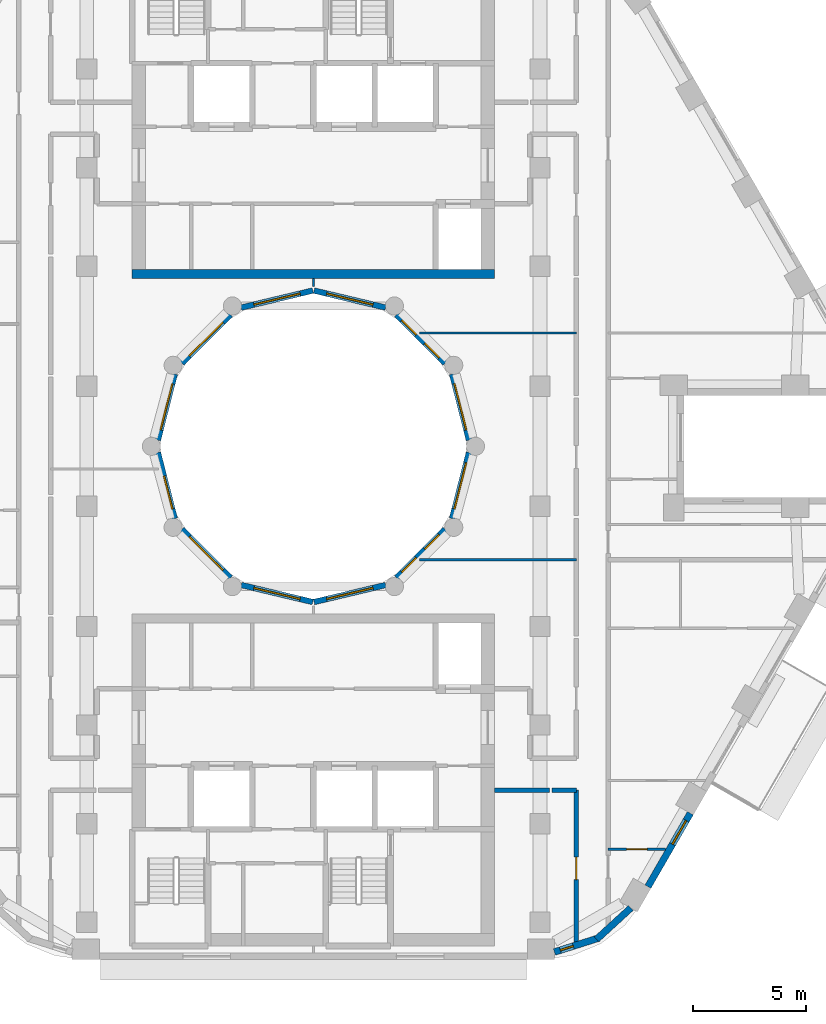
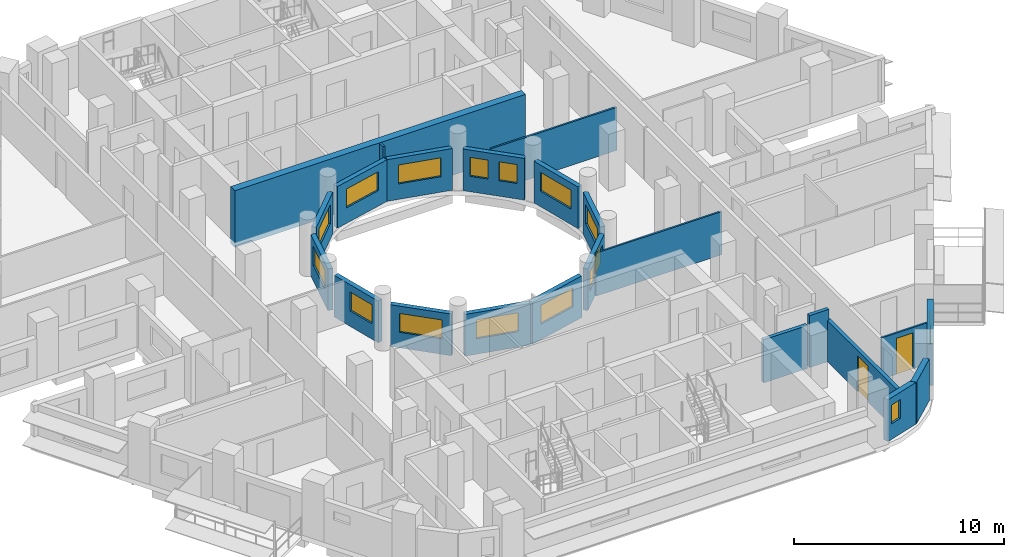
# One storey, part 5 of 15: 23 walls, 16 windows, 2 doors, 18 openings.
"""IFC4 building model written with IfcOpenShell, lengths in metres."""

from ifc_helpers import new_model, si_unit, direction, frame, frame_2d, origin, place, context, subcontext, project, spatial, rectangle, extrude, material, layer, layer_set, type_object, element, fill, save


model = new_model("IFC4")

# Units and contexts
model_context = context("Model", 3, precision=1e-05, world=origin(), true_north=direction((0.0, 1.0)))
body_context = subcontext(model_context, "Body", "Model", "MODEL_VIEW")
ifc_project = project(units=[si_unit("LENGTHUNIT", "METRE"), si_unit("AREAUNIT", "SQUARE_METRE"), si_unit("VOLUMEUNIT", "CUBIC_METRE"), si_unit("PLANEANGLEUNIT", "RADIAN"), si_unit("MASSUNIT", "GRAM", prefix="KILO")], contexts=[model_context])

# Site, building, storey
site_placement = place(None, origin())
site = spatial("IfcSite", under=ifc_project, at=site_placement, CompositionType="ELEMENT")
building_placement = place(site_placement, origin())
building = spatial("IfcBuilding", under=site, at=building_placement, Name="Nakaniwa Court", CompositionType="ELEMENT")
storey_placement = place(building_placement, frame((0.0, 0.0, 186.60009765625)))
storey = spatial("IfcBuildingStorey", under=building, at=storey_placement, Name="L48", CompositionType="ELEMENT", Elevation=186.60009765625)

# Wall, opening, door
ifc_material_1 = material(Name="Acoustic double stud partition")
ifc_layer_1 = layer(ifc_material_1, 0.199951171875)
ifc_layer_set_1 = layer_set([ifc_layer_1], Name="Acoustic double stud partition")
wall_type_1 = type_object("IfcWallType", Name="Acoustic double stud partition 200", PredefinedType="PARTITIONING", material=ifc_layer_set_1)
wall_1_placement = place(storey_placement, frame((91.60009765625, 57.92626953125, 0.0), z_axis=(0.0, 0.0, 1.0), x_axis=(0.0, 1.0, 0.0)))
wall_1 = element("IfcWall", 1, at=wall_1_placement, inside=storey, type_object=wall_type_1, Name="Partition PW-067", PredefinedType="PARTITIONING", context=body_context, shape_type="SweptSolid", body=[
    extrude(rectangle(XDim=6.898681640625, YDim=0.199951171875, at=frame_2d((3.44921875, 0.0))), origin(), (0.0, 0.0, 1.0), 2.40478515625),
])
opening_1_placement = place(wall_1_placement, frame((2.948974609375, 0.0, 0.0)))
opening_1 = element("IfcOpeningElement", 2, at=opening_1_placement, cuts=wall_1, Name="Opening D-02-01", PredefinedType="OPENING", context=body_context, shape_type="SweptSolid", body=[
    extrude(rectangle(XDim=1.0, YDim=2.10009765625, at=frame_2d((0.5, 1.050048828125))), frame((0.0, 0.10986328125, 0.0), z_axis=(0.0, -1.0, 0.0), x_axis=(1.0, 0.0, 0.0)), (0.0, 0.0, 1.0), 0.219970703125),
])
ifc_material_2 = material(Name="Solid core timber door set, black veneer", Category="wood")
door_type_1 = type_object("IfcDoorType", Name="Internal door 1000", OperationType="NOTDEFINED", PredefinedType="DOOR", material=ifc_material_2)
door_1_placement = place(opening_1_placement, origin())
door_1 = element("IfcDoor", 3, at=door_1_placement, inside=storey, type_object=door_type_1, Name="Door D-02-01 L48-023", OperationType="SINGLE_SWING_RIGHT", OverallHeight=2.10009765625, OverallWidth=1.0, PredefinedType="DOOR", context=body_context, shape_type="SweptSolid", body=[
    extrude(rectangle(XDim=1.0, YDim=2.10009765625, at=frame_2d((0.5, 1.050048828125))), frame((0.0, 0.02490234375, 0.0), z_axis=(0.0, -1.0, 0.0), x_axis=(1.0, 0.0, 0.0)), (0.0, 0.0, 1.0), 0.050048828125),
])
fill(opening_1, door_1)

# Walls
wall_2_placement = place(storey_placement, frame((88.0, 64.824951171875, 0.0), z_axis=(0.0, 0.0, 1.0), x_axis=(1.0, 0.0, 0.0)))
element("IfcWall", 4, at=wall_2_placement, inside=storey, type_object=wall_type_1, Name="Partition PW-076", PredefinedType="PARTITIONING", context=body_context, shape_type="SweptSolid", body=[
    extrude(rectangle(XDim=2.412841796875, YDim=0.199951171875, at=frame_2d((1.20654296875, 0.0))), origin(), (0.0, 0.0, 1.0), 2.5048828125),
])
wall_3_placement = place(storey_placement, frame((90.527099609375, 64.824951171875, 0.0), z_axis=(0.0, 0.0, 1.0), x_axis=(1.0, 0.0, 0.0)))
element("IfcWall", 5, at=wall_3_placement, inside=storey, type_object=wall_type_1, Name="Partition PW-077", PredefinedType="PARTITIONING", context=body_context, shape_type="SweptSolid", body=[
    extrude(rectangle(XDim=1.072998046875, YDim=0.199951171875, at=frame_2d((0.53662109375, 0.0))), origin(), (0.0, 0.0, 1.0), 3.02490234375),
])

# Wall, opening, window
ifc_material_3 = material(Name="Charcoal ceramic cladding")
ifc_layer_2 = layer(ifc_material_3, 0.02, Name="Ceramic cladding")
ifc_material_4 = material(Name="Ventilated air cavity")
ifc_layer_3 = layer(ifc_material_4, 0.04, ventilated=True, Name="Ventilated cavity")
ifc_material_5 = material(Name="Mineral wool insulation")
ifc_layer_4 = layer(ifc_material_5, 0.1, Name="Insulation")
ifc_material_6 = material(Name="Cement bonded sheathing board")
ifc_layer_5 = layer(ifc_material_6, 0.012, Name="Sheathing")
ifc_material_7 = material(Name="Cold-formed galvanised stud frame with mineral wool infill")
ifc_layer_6 = layer(ifc_material_7, 0.1, Name="Stud frame")
ifc_material_8 = material(Name="Fire-rated gypsum plasterboard lining")
ifc_layer_7 = layer(ifc_material_8, 0.028, Name="Lining")
ifc_layer_set_2 = layer_set([ifc_layer_2, ifc_layer_3, ifc_layer_4, ifc_layer_5, ifc_layer_6, ifc_layer_7], Name="Charcoal ceramic faced external wall system")
wall_type_2 = type_object("IfcWallType", Name="Black ceramic faced external wall 300", PredefinedType="SOLIDWALL", material=ifc_layer_set_2)
wall_4_placement = place(storey_placement, frame((90.6357421875, 57.684814453125, 0.0), z_axis=(0.0, 0.0, 1.0), x_axis=(0.95368324118, 0.300812691707, 0.0)))
wall_4 = element("IfcWall", 6, at=wall_4_placement, inside=storey, type_object=wall_type_2, Name="L48 external wall 27", PredefinedType="SOLIDWALL", context=body_context, shape_type="SweptSolid", body=[
    extrude(rectangle(XDim=2.053466796875, YDim=0.300048828125, at=frame_2d((1.02685546875, 0.0))), origin(), (0.0, 0.0, 1.0), 2.4248046875),
])
opening_2_placement = place(wall_4_placement, frame((0.271240234375, 0.0, 0.89990234375)))
opening_2 = element("IfcOpeningElement", 7, at=opening_2_placement, cuts=wall_4, Name="Opening W8.29", PredefinedType="OPENING", context=body_context, shape_type="SweptSolid", body=[
    extrude(rectangle(XDim=0.60009765625, YDim=1.10009765625, at=frame_2d((0.300048828125, 0.550048828125))), frame((0.0, 0.159912109375, 0.0), z_axis=(0.0, -1.0, 0.0), x_axis=(1.0, 0.0, 0.0)), (0.0, 0.0, 1.0), 0.320068359375),
])
ifc_material_9 = material(Name="Black anodised aluminium frame with dark low-E laminated double glazing", Category="aluminium")
window_type_1 = type_object("IfcWindowType", Name="Dark glass window 600x1100 sill 900", PartitioningType="SINGLE_PANEL", PredefinedType="WINDOW", material=ifc_material_9)
window_1_placement = place(opening_2_placement, origin())
window_1 = element("IfcWindow", 8, at=window_1_placement, inside=storey, type_object=window_type_1, Name="L48 habitable room window 27-0", OverallHeight=1.10009765625, OverallWidth=0.60009765625, PartitioningType="SINGLE_PANEL", PredefinedType="WINDOW", context=body_context, shape_type="SweptSolid", body=[
    extrude(rectangle(XDim=0.60009765625, YDim=1.10009765625, at=frame_2d((0.300048828125, 0.550048828125))), frame((0.0, 0.030029296875, 0.0), z_axis=(0.0, -1.0, 0.0), x_axis=(1.0, 0.0, 0.0)), (0.0, 0.0, 1.0), 0.06005859375),
])
fill(opening_2, window_1)

# Wall
wall_5_placement = place(storey_placement, frame((92.494140625, 58.243896484375, 0.0), z_axis=(0.0, 0.0, 1.0), x_axis=(0.73764876128, 0.675184645102, 0.0)))
element("IfcWall", 9, at=wall_5_placement, inside=storey, type_object=wall_type_2, Name="L48 external wall 28", PredefinedType="SOLIDWALL", context=body_context, shape_type="SweptSolid", body=[
    extrude(rectangle(XDim=2.048095703125, YDim=0.300048828125, at=frame_2d((1.02392578125, 0.0))), origin(), (0.0, 0.0, 1.0), 2.4248046875),
])

# Wall, opening, window
wall_6_placement = place(storey_placement, frame((94.760986328125, 60.566650390625, 0.0), z_axis=(0.0, 0.0, 1.0), x_axis=(0.499982088007, 0.866035745032, 0.0)))
wall_6 = element("IfcWall", 10, at=wall_6_placement, inside=storey, type_object=wall_type_2, Name="L48 external wall 29", PredefinedType="SOLIDWALL", context=body_context, shape_type="SweptSolid", body=[
    extrude(rectangle(XDim=3.744384765625, YDim=0.300048828125, at=frame_2d((1.8720703125, 0.0))), origin(), (0.0, 0.0, 1.0), 2.4248046875),
])
opening_3_placement = place(wall_6_placement, frame((2.168701171875, 0.0, 0.89990234375)))
opening_3 = element("IfcOpeningElement", 11, at=opening_3_placement, cuts=wall_6, Name="Opening W6.30", PredefinedType="OPENING", context=body_context, shape_type="SweptSolid", body=[
    extrude(rectangle(XDim=1.199951171875, YDim=1.10009765625, at=frame_2d((0.60009765625, 0.550048828125))), frame((0.0, 0.159912109375, 0.0), z_axis=(0.0, -1.0, 0.0), x_axis=(1.0, 0.0, 0.0)), (0.0, 0.0, 1.0), 0.320068359375),
])
window_type_2 = type_object("IfcWindowType", Name="Dark glass window 1200x1100 sill 900", PartitioningType="SINGLE_PANEL", PredefinedType="WINDOW", material=ifc_material_9)
window_2_placement = place(opening_3_placement, origin())
window_2 = element("IfcWindow", 12, at=window_2_placement, inside=storey, type_object=window_type_2, Name="L48 habitable room window 29-1", OverallHeight=1.10009765625, OverallWidth=1.199951171875, PartitioningType="SINGLE_PANEL", PredefinedType="WINDOW", context=body_context, shape_type="SweptSolid", body=[
    extrude(rectangle(XDim=1.199951171875, YDim=1.10009765625, at=frame_2d((0.60009765625, 0.550048828125))), frame((0.0, 0.030029296875, 0.0), z_axis=(0.0, -1.0, 0.0), x_axis=(1.0, 0.0, 0.0)), (0.0, 0.0, 1.0), 0.06005859375),
])
fill(opening_3, window_2)

ifc_layer_8 = layer(ifc_material_3, 0.02, Name="Ceramic cladding")
ifc_layer_9 = layer(ifc_material_4, 0.04, ventilated=True, Name="Ventilated cavity")
ifc_layer_10 = layer(ifc_material_5, 0.075, Name="Insulation")
ifc_layer_11 = layer(ifc_material_6, 0.012, Name="Sheathing")
ifc_layer_12 = layer(ifc_material_7, 0.075, Name="Stud frame")
ifc_layer_13 = layer(ifc_material_8, 0.028, Name="Lining")
ifc_layer_set_3 = layer_set([ifc_layer_8, ifc_layer_9, ifc_layer_10, ifc_layer_11, ifc_layer_12, ifc_layer_13], Name="Charcoal ceramic faced external wall system")
wall_type_3 = type_object("IfcWallType", Name="Charcoal ceramic faced well wall 250", PredefinedType="SOLIDWALL", material=ifc_layer_set_3)
wall_7_placement = place(storey_placement, frame((86.8603515625, 79.72998046875, 0.0), z_axis=(0.0, 0.0, 1.0), x_axis=(-0.247055971283, -0.969001211069, 0.0)))
wall_7 = element("IfcWall", 13, at=wall_7_placement, inside=storey, type_object=wall_type_3, Name="L48 external wall 36", PredefinedType="SOLIDWALL", context=body_context, shape_type="SweptSolid", body=[
    extrude(rectangle(XDim=3.010009765625, YDim=0.25, at=frame_2d((1.5048828125, 0.0))), origin(), (0.0, 0.0, 1.0), 2.4248046875),
])
opening_4_placement = place(wall_7_placement, frame((0.46875, 0.0, 0.89990234375)))
opening_4 = element("IfcOpeningElement", 14, at=opening_4_placement, cuts=wall_7, Name="Opening W7.36", PredefinedType="OPENING", context=body_context, shape_type="SweptSolid", body=[
    extrude(rectangle(XDim=2.10009765625, YDim=1.10009765625, at=frame_2d((1.050048828125, 0.550048828125))), frame((0.0, 0.135009765625, 0.0), z_axis=(0.0, -1.0, 0.0), x_axis=(1.0, 0.0, 0.0)), (0.0, 0.0, 1.0), 0.27001953125),
])
window_type_3 = type_object("IfcWindowType", Name="Dark glass window 2100x1100 sill 900", PartitioningType="SINGLE_PANEL", PredefinedType="WINDOW", material=ifc_material_9)
window_3_placement = place(opening_4_placement, origin())
window_3 = element("IfcWindow", 15, at=window_3_placement, inside=storey, type_object=window_type_3, Name="L48 habitable room window 36-0", OverallHeight=1.10009765625, OverallWidth=2.10009765625, PartitioningType="SINGLE_PANEL", PredefinedType="WINDOW", context=body_context, shape_type="SweptSolid", body=[
    extrude(rectangle(XDim=2.10009765625, YDim=1.10009765625, at=frame_2d((1.050048828125, 0.550048828125))), frame((0.0, 0.030029296875, 0.0), z_axis=(0.0, -1.0, 0.0), x_axis=(1.0, 0.0, 0.0)), (0.0, 0.0, 1.0), 0.06005859375),
])
fill(opening_4, window_3)

# Wall, openings, windows
wall_8_placement = place(storey_placement, frame((85.8056640625, 76.339111328125, 0.0), z_axis=(0.0, 0.0, 1.0), x_axis=(-0.707106781187, -0.707106781187, 0.0)))
wall_8 = element("IfcWall", 16, at=wall_8_placement, inside=storey, type_object=wall_type_3, Name="L48 external wall 37", PredefinedType="SOLIDWALL", context=body_context, shape_type="SweptSolid", body=[
    extrude(rectangle(XDim=3.033203125, YDim=0.25, at=frame_2d((1.5166015625, 0.0))), origin(), (0.0, 0.0, 1.0), 2.4248046875),
])
opening_5_placement = place(wall_8_placement, frame((0.353271484375, 0.0, 0.89990234375)))
opening_5 = element("IfcOpeningElement", 17, at=opening_5_placement, cuts=wall_8, Name="Opening W9.37", PredefinedType="OPENING", context=body_context, shape_type="SweptSolid", body=[
    extrude(rectangle(XDim=0.89990234375, YDim=1.10009765625, at=frame_2d((0.449951171875, 0.550048828125))), frame((0.0, 0.135009765625, 0.0), z_axis=(0.0, -1.0, 0.0), x_axis=(1.0, 0.0, 0.0)), (0.0, 0.0, 1.0), 0.27001953125),
])
opening_6_placement = place(wall_8_placement, frame((1.787841796875, 0.0, 0.89990234375)))
opening_6 = element("IfcOpeningElement", 18, at=opening_6_placement, cuts=wall_8, Name="Opening W9.38", PredefinedType="OPENING", context=body_context, shape_type="SweptSolid", body=[
    extrude(rectangle(XDim=0.89990234375, YDim=1.10009765625, at=frame_2d((0.449951171875, 0.550048828125))), frame((0.0, 0.135009765625, 0.0), z_axis=(0.0, -1.0, 0.0), x_axis=(1.0, 0.0, 0.0)), (0.0, 0.0, 1.0), 0.27001953125),
])
window_type_4 = type_object("IfcWindowType", Name="Dark glass window 900x1100 sill 900", PartitioningType="SINGLE_PANEL", PredefinedType="WINDOW", material=ifc_material_9)
window_4_placement = place(opening_5_placement, origin())
window_4 = element("IfcWindow", 19, at=window_4_placement, inside=storey, type_object=window_type_4, Name="L48 habitable room window 37-0", OverallHeight=1.10009765625, OverallWidth=0.89990234375, PartitioningType="SINGLE_PANEL", PredefinedType="WINDOW", context=body_context, shape_type="SweptSolid", body=[
    extrude(rectangle(XDim=0.89990234375, YDim=1.10009765625, at=frame_2d((0.449951171875, 0.550048828125))), frame((0.0, 0.030029296875, 0.0), z_axis=(0.0, -1.0, 0.0), x_axis=(1.0, 0.0, 0.0)), (0.0, 0.0, 1.0), 0.06005859375),
])
fill(opening_5, window_4)
window_5_placement = place(opening_6_placement, origin())
window_5 = element("IfcWindow", 20, at=window_5_placement, inside=storey, type_object=window_type_4, Name="L48 habitable room window 37-1", OverallHeight=1.10009765625, OverallWidth=0.89990234375, PartitioningType="SINGLE_PANEL", PredefinedType="WINDOW", context=body_context, shape_type="SweptSolid", body=[
    extrude(rectangle(XDim=0.89990234375, YDim=1.10009765625, at=frame_2d((0.449951171875, 0.550048828125))), frame((0.0, 0.030029296875, 0.0), z_axis=(0.0, -1.0, 0.0), x_axis=(1.0, 0.0, 0.0)), (0.0, 0.0, 1.0), 0.06005859375),
])
fill(opening_6, window_5)

# Wall, opening, window
wall_9_placement = place(storey_placement, frame((83.186279296875, 73.880615234375, 0.0), z_axis=(0.0, 0.0, 1.0), x_axis=(-0.972773113459, -0.231759508395, 0.0)))
wall_9 = element("IfcWall", 21, at=wall_9_placement, inside=storey, type_object=wall_type_3, Name="L48 external wall 38", PredefinedType="SOLIDWALL", context=body_context, shape_type="SweptSolid", body=[
    extrude(rectangle(XDim=3.24560546875, YDim=0.25, at=frame_2d((1.622802734375, 0.0))), origin(), (0.0, 0.0, 1.0), 2.4248046875),
])
opening_7_placement = place(wall_9_placement, frame((0.57275390625, 0.0, 0.89990234375)))
opening_7 = element("IfcOpeningElement", 22, at=opening_7_placement, cuts=wall_9, Name="Opening W7.39", PredefinedType="OPENING", context=body_context, shape_type="SweptSolid", body=[
    extrude(rectangle(XDim=2.10009765625, YDim=1.10009765625, at=frame_2d((1.050048828125, 0.550048828125))), frame((0.0, 0.135009765625, 0.0), z_axis=(0.0, -1.0, 0.0), x_axis=(1.0, 0.0, 0.0)), (0.0, 0.0, 1.0), 0.27001953125),
])
window_6_placement = place(opening_7_placement, origin())
window_6 = element("IfcWindow", 23, at=window_6_placement, inside=storey, type_object=window_type_3, Name="L48 habitable room window 38-0", OverallHeight=1.10009765625, OverallWidth=2.10009765625, PartitioningType="SINGLE_PANEL", PredefinedType="WINDOW", context=body_context, shape_type="SweptSolid", body=[
    extrude(rectangle(XDim=2.10009765625, YDim=1.10009765625, at=frame_2d((1.050048828125, 0.550048828125))), frame((0.0, 0.030029296875, 0.0), z_axis=(0.0, -1.0, 0.0), x_axis=(1.0, 0.0, 0.0)), (0.0, 0.0, 1.0), 0.06005859375),
])
fill(opening_7, window_6)

wall_10_placement = place(storey_placement, frame((79.970947265625, 73.12841796875, 0.0), z_axis=(0.0, 0.0, 1.0), x_axis=(-0.972773113459, 0.231759508395, 0.0)))
wall_10 = element("IfcWall", 24, at=wall_10_placement, inside=storey, type_object=wall_type_3, Name="L48 external wall 39", PredefinedType="SOLIDWALL", context=body_context, shape_type="SweptSolid", body=[
    extrude(rectangle(XDim=3.24560546875, YDim=0.25, at=frame_2d((1.622802734375, 0.0))), origin(), (0.0, 0.0, 1.0), 2.4248046875),
])
opening_8_placement = place(wall_10_placement, frame((0.57275390625, 0.0, 0.89990234375)))
opening_8 = element("IfcOpeningElement", 25, at=opening_8_placement, cuts=wall_10, Name="Opening W7.40", PredefinedType="OPENING", context=body_context, shape_type="SweptSolid", body=[
    extrude(rectangle(XDim=2.10009765625, YDim=1.10009765625, at=frame_2d((1.050048828125, 0.550048828125))), frame((0.0, 0.135009765625, 0.0), z_axis=(0.0, -1.0, 0.0), x_axis=(1.0, 0.0, 0.0)), (0.0, 0.0, 1.0), 0.27001953125),
])
window_7_placement = place(opening_8_placement, origin())
window_7 = element("IfcWindow", 26, at=window_7_placement, inside=storey, type_object=window_type_3, Name="L48 habitable room window 39-0", OverallHeight=1.10009765625, OverallWidth=2.10009765625, PartitioningType="SINGLE_PANEL", PredefinedType="WINDOW", context=body_context, shape_type="SweptSolid", body=[
    extrude(rectangle(XDim=2.10009765625, YDim=1.10009765625, at=frame_2d((1.050048828125, 0.550048828125))), frame((0.0, 0.030029296875, 0.0), z_axis=(0.0, -1.0, 0.0), x_axis=(1.0, 0.0, 0.0)), (0.0, 0.0, 1.0), 0.06005859375),
])
fill(opening_8, window_7)

wall_11_placement = place(storey_placement, frame((76.339111328125, 74.1943359375, 0.0), z_axis=(0.0, 0.0, 1.0), x_axis=(-0.707106781187, 0.707106781187, 0.0)))
wall_11 = element("IfcWall", 27, at=wall_11_placement, inside=storey, type_object=wall_type_3, Name="L48 external wall 40", PredefinedType="SOLIDWALL", context=body_context, shape_type="SweptSolid", body=[
    extrude(rectangle(XDim=3.033203125, YDim=0.25, at=frame_2d((1.5166015625, 0.0))), origin(), (0.0, 0.0, 1.0), 2.4248046875),
])
opening_9_placement = place(wall_11_placement, frame((0.466552734375, 0.0, 0.89990234375)))
opening_9 = element("IfcOpeningElement", 28, at=opening_9_placement, cuts=wall_11, Name="Opening W7.41", PredefinedType="OPENING", context=body_context, shape_type="SweptSolid", body=[
    extrude(rectangle(XDim=2.10009765625, YDim=1.10009765625, at=frame_2d((1.050048828125, 0.550048828125))), frame((0.0, 0.135009765625, 0.0), z_axis=(0.0, -1.0, 0.0), x_axis=(1.0, 0.0, 0.0)), (0.0, 0.0, 1.0), 0.27001953125),
])
window_8_placement = place(opening_9_placement, origin())
window_8 = element("IfcWindow", 29, at=window_8_placement, inside=storey, type_object=window_type_3, Name="L48 habitable room window 40-0", OverallHeight=1.10009765625, OverallWidth=2.10009765625, PartitioningType="SINGLE_PANEL", PredefinedType="WINDOW", context=body_context, shape_type="SweptSolid", body=[
    extrude(rectangle(XDim=2.10009765625, YDim=1.10009765625, at=frame_2d((1.050048828125, 0.550048828125))), frame((0.0, 0.030029296875, 0.0), z_axis=(0.0, -1.0, 0.0), x_axis=(1.0, 0.0, 0.0)), (0.0, 0.0, 1.0), 0.06005859375),
])
fill(opening_9, window_8)

wall_12_placement = place(storey_placement, frame((73.88330078125, 76.813232421875, 0.0), z_axis=(0.0, 0.0, 1.0), x_axis=(-0.247055971283, 0.969001211069, 0.0)))
wall_12 = element("IfcWall", 30, at=wall_12_placement, inside=storey, type_object=wall_type_3, Name="L48 external wall 41", PredefinedType="SOLIDWALL", context=body_context, shape_type="SweptSolid", body=[
    extrude(rectangle(XDim=3.010009765625, YDim=0.25, at=frame_2d((1.5048828125, 0.0))), origin(), (0.0, 0.0, 1.0), 2.4248046875),
])
opening_10_placement = place(wall_12_placement, frame((0.4326171875, 0.0, 0.89990234375)))
opening_10 = element("IfcOpeningElement", 31, at=opening_10_placement, cuts=wall_12, Name="Opening W5.42", PredefinedType="OPENING", context=body_context, shape_type="SweptSolid", body=[
    extrude(rectangle(XDim=1.5, YDim=1.10009765625, at=frame_2d((0.75, 0.550048828125))), frame((0.0, 0.135009765625, 0.0), z_axis=(0.0, -1.0, 0.0), x_axis=(1.0, 0.0, 0.0)), (0.0, 0.0, 1.0), 0.27001953125),
])
window_type_5 = type_object("IfcWindowType", Name="Dark glass window 1500x1100 sill 900", PartitioningType="SINGLE_PANEL", PredefinedType="WINDOW", material=ifc_material_9)
window_9_placement = place(opening_10_placement, origin())
window_9 = element("IfcWindow", 32, at=window_9_placement, inside=storey, type_object=window_type_5, Name="L48 habitable room window 41-0", OverallHeight=1.10009765625, OverallWidth=1.5, PartitioningType="SINGLE_PANEL", PredefinedType="WINDOW", context=body_context, shape_type="SweptSolid", body=[
    extrude(rectangle(XDim=1.5, YDim=1.10009765625, at=frame_2d((0.75, 0.550048828125))), frame((0.0, 0.030029296875, 0.0), z_axis=(0.0, -1.0, 0.0), x_axis=(1.0, 0.0, 0.0)), (0.0, 0.0, 1.0), 0.06005859375),
])
fill(opening_10, window_9)

wall_13_placement = place(storey_placement, frame((73.1396484375, 80.27001953125, 0.0), z_axis=(0.0, 0.0, 1.0), x_axis=(0.247055971283, 0.969001211069, 0.0)))
wall_13 = element("IfcWall", 33, at=wall_13_placement, inside=storey, type_object=wall_type_3, Name="L48 external wall 42", PredefinedType="SOLIDWALL", context=body_context, shape_type="SweptSolid", body=[
    extrude(rectangle(XDim=3.010009765625, YDim=0.25, at=frame_2d((1.5048828125, 0.0))), origin(), (0.0, 0.0, 1.0), 2.4248046875),
])
opening_11_placement = place(wall_13_placement, frame((0.46875, 0.0, 0.89990234375)))
opening_11 = element("IfcOpeningElement", 34, at=opening_11_placement, cuts=wall_13, Name="Opening W7.43", PredefinedType="OPENING", context=body_context, shape_type="SweptSolid", body=[
    extrude(rectangle(XDim=2.10009765625, YDim=1.10009765625, at=frame_2d((1.050048828125, 0.550048828125))), frame((0.0, 0.135009765625, 0.0), z_axis=(0.0, -1.0, 0.0), x_axis=(1.0, 0.0, 0.0)), (0.0, 0.0, 1.0), 0.27001953125),
])
window_10_placement = place(opening_11_placement, origin())
window_10 = element("IfcWindow", 35, at=window_10_placement, inside=storey, type_object=window_type_3, Name="L48 habitable room window 42-0", OverallHeight=1.10009765625, OverallWidth=2.10009765625, PartitioningType="SINGLE_PANEL", PredefinedType="WINDOW", context=body_context, shape_type="SweptSolid", body=[
    extrude(rectangle(XDim=2.10009765625, YDim=1.10009765625, at=frame_2d((1.050048828125, 0.550048828125))), frame((0.0, 0.030029296875, 0.0), z_axis=(0.0, -1.0, 0.0), x_axis=(1.0, 0.0, 0.0)), (0.0, 0.0, 1.0), 0.06005859375),
])
fill(opening_11, window_10)

wall_14_placement = place(storey_placement, frame((74.1943359375, 83.660888671875, 0.0), z_axis=(0.0, 0.0, 1.0), x_axis=(0.707106781187, 0.707106781187, 0.0)))
wall_14 = element("IfcWall", 36, at=wall_14_placement, inside=storey, type_object=wall_type_3, Name="L48 external wall 43", PredefinedType="SOLIDWALL", context=body_context, shape_type="SweptSolid", body=[
    extrude(rectangle(XDim=3.033203125, YDim=0.25, at=frame_2d((1.5166015625, 0.0))), origin(), (0.0, 0.0, 1.0), 2.4248046875),
])
opening_12_placement = place(wall_14_placement, frame((0.466552734375, 0.0, 0.89990234375)))
opening_12 = element("IfcOpeningElement", 37, at=opening_12_placement, cuts=wall_14, Name="Opening W7.44", PredefinedType="OPENING", context=body_context, shape_type="SweptSolid", body=[
    extrude(rectangle(XDim=2.10009765625, YDim=1.10009765625, at=frame_2d((1.050048828125, 0.550048828125))), frame((0.0, 0.135009765625, 0.0), z_axis=(0.0, -1.0, 0.0), x_axis=(1.0, 0.0, 0.0)), (0.0, 0.0, 1.0), 0.27001953125),
])
window_11_placement = place(opening_12_placement, origin())
window_11 = element("IfcWindow", 38, at=window_11_placement, inside=storey, type_object=window_type_3, Name="L48 habitable room window 43-0", OverallHeight=1.10009765625, OverallWidth=2.10009765625, PartitioningType="SINGLE_PANEL", PredefinedType="WINDOW", context=body_context, shape_type="SweptSolid", body=[
    extrude(rectangle(XDim=2.10009765625, YDim=1.10009765625, at=frame_2d((1.050048828125, 0.550048828125))), frame((0.0, 0.030029296875, 0.0), z_axis=(0.0, -1.0, 0.0), x_axis=(1.0, 0.0, 0.0)), (0.0, 0.0, 1.0), 0.06005859375),
])
fill(opening_12, window_11)

wall_15_placement = place(storey_placement, frame((76.813720703125, 86.119384765625, 0.0), z_axis=(0.0, 0.0, 1.0), x_axis=(0.972773113459, 0.231759508395, 0.0)))
wall_15 = element("IfcWall", 39, at=wall_15_placement, inside=storey, type_object=wall_type_3, Name="L48 external wall 44", PredefinedType="SOLIDWALL", context=body_context, shape_type="SweptSolid", body=[
    extrude(rectangle(XDim=3.24560546875, YDim=0.25, at=frame_2d((1.622802734375, 0.0))), origin(), (0.0, 0.0, 1.0), 2.4248046875),
])
opening_13_placement = place(wall_15_placement, frame((0.57275390625, 0.0, 0.89990234375)))
opening_13 = element("IfcOpeningElement", 40, at=opening_13_placement, cuts=wall_15, Name="Opening W7.45", PredefinedType="OPENING", context=body_context, shape_type="SweptSolid", body=[
    extrude(rectangle(XDim=2.10009765625, YDim=1.10009765625, at=frame_2d((1.050048828125, 0.550048828125))), frame((0.0, 0.135009765625, 0.0), z_axis=(0.0, -1.0, 0.0), x_axis=(1.0, 0.0, 0.0)), (0.0, 0.0, 1.0), 0.27001953125),
])
window_12_placement = place(opening_13_placement, origin())
window_12 = element("IfcWindow", 41, at=window_12_placement, inside=storey, type_object=window_type_3, Name="L48 habitable room window 44-0", OverallHeight=1.10009765625, OverallWidth=2.10009765625, PartitioningType="SINGLE_PANEL", PredefinedType="WINDOW", context=body_context, shape_type="SweptSolid", body=[
    extrude(rectangle(XDim=2.10009765625, YDim=1.10009765625, at=frame_2d((1.050048828125, 0.550048828125))), frame((0.0, 0.030029296875, 0.0), z_axis=(0.0, -1.0, 0.0), x_axis=(1.0, 0.0, 0.0)), (0.0, 0.0, 1.0), 0.06005859375),
])
fill(opening_13, window_12)

wall_16_placement = place(storey_placement, frame((80.029052734375, 86.87158203125, 0.0), z_axis=(0.0, 0.0, 1.0), x_axis=(0.972773113459, -0.231759508395, 0.0)))
wall_16 = element("IfcWall", 42, at=wall_16_placement, inside=storey, type_object=wall_type_3, Name="L48 external wall 45", PredefinedType="SOLIDWALL", context=body_context, shape_type="SweptSolid", body=[
    extrude(rectangle(XDim=3.24560546875, YDim=0.25, at=frame_2d((1.622802734375, 0.0))), origin(), (0.0, 0.0, 1.0), 2.4248046875),
])
opening_14_placement = place(wall_16_placement, frame((0.57275390625, 0.0, 0.89990234375)))
opening_14 = element("IfcOpeningElement", 43, at=opening_14_placement, cuts=wall_16, Name="Opening W7.46", PredefinedType="OPENING", context=body_context, shape_type="SweptSolid", body=[
    extrude(rectangle(XDim=2.10009765625, YDim=1.10009765625, at=frame_2d((1.050048828125, 0.550048828125))), frame((0.0, 0.135009765625, 0.0), z_axis=(0.0, -1.0, 0.0), x_axis=(1.0, 0.0, 0.0)), (0.0, 0.0, 1.0), 0.27001953125),
])
window_13_placement = place(opening_14_placement, origin())
window_13 = element("IfcWindow", 44, at=window_13_placement, inside=storey, type_object=window_type_3, Name="L48 habitable room window 45-0", OverallHeight=1.10009765625, OverallWidth=2.10009765625, PartitioningType="SINGLE_PANEL", PredefinedType="WINDOW", context=body_context, shape_type="SweptSolid", body=[
    extrude(rectangle(XDim=2.10009765625, YDim=1.10009765625, at=frame_2d((1.050048828125, 0.550048828125))), frame((0.0, 0.030029296875, 0.0), z_axis=(0.0, -1.0, 0.0), x_axis=(1.0, 0.0, 0.0)), (0.0, 0.0, 1.0), 0.06005859375),
])
fill(opening_14, window_13)

# Wall, openings, windows
wall_17_placement = place(storey_placement, frame((83.660888671875, 85.8056640625, 0.0), z_axis=(0.0, 0.0, 1.0), x_axis=(0.707106781187, -0.707106781187, 0.0)))
wall_17 = element("IfcWall", 45, at=wall_17_placement, inside=storey, type_object=wall_type_3, Name="L48 external wall 46", PredefinedType="SOLIDWALL", context=body_context, shape_type="SweptSolid", body=[
    extrude(rectangle(XDim=3.033203125, YDim=0.25, at=frame_2d((1.5166015625, 0.0))), origin(), (0.0, 0.0, 1.0), 2.4248046875),
])
opening_15_placement = place(wall_17_placement, frame((0.34521484375, 0.0, 0.89990234375)))
opening_15 = element("IfcOpeningElement", 46, at=opening_15_placement, cuts=wall_17, Name="Opening W9.47", PredefinedType="OPENING", context=body_context, shape_type="SweptSolid", body=[
    extrude(rectangle(XDim=0.89990234375, YDim=1.10009765625, at=frame_2d((0.449951171875, 0.550048828125))), frame((0.0, 0.135009765625, 0.0), z_axis=(0.0, -1.0, 0.0), x_axis=(1.0, 0.0, 0.0)), (0.0, 0.0, 1.0), 0.27001953125),
])
opening_16_placement = place(wall_17_placement, frame((1.780029296875, 0.0, 0.89990234375)))
opening_16 = element("IfcOpeningElement", 47, at=opening_16_placement, cuts=wall_17, Name="Opening W9.48", PredefinedType="OPENING", context=body_context, shape_type="SweptSolid", body=[
    extrude(rectangle(XDim=0.89990234375, YDim=1.10009765625, at=frame_2d((0.449951171875, 0.550048828125))), frame((0.0, 0.135009765625, 0.0), z_axis=(0.0, -1.0, 0.0), x_axis=(1.0, 0.0, 0.0)), (0.0, 0.0, 1.0), 0.27001953125),
])
window_14_placement = place(opening_15_placement, origin())
window_14 = element("IfcWindow", 48, at=window_14_placement, inside=storey, type_object=window_type_4, Name="L48 habitable room window 46-0", OverallHeight=1.10009765625, OverallWidth=0.89990234375, PartitioningType="SINGLE_PANEL", PredefinedType="WINDOW", context=body_context, shape_type="SweptSolid", body=[
    extrude(rectangle(XDim=0.89990234375, YDim=1.10009765625, at=frame_2d((0.449951171875, 0.550048828125))), frame((0.0, 0.030029296875, 0.0), z_axis=(0.0, -1.0, 0.0), x_axis=(1.0, 0.0, 0.0)), (0.0, 0.0, 1.0), 0.06005859375),
])
fill(opening_15, window_14)
window_15_placement = place(opening_16_placement, origin())
window_15 = element("IfcWindow", 49, at=window_15_placement, inside=storey, type_object=window_type_4, Name="L48 habitable room window 46-1", OverallHeight=1.10009765625, OverallWidth=0.89990234375, PartitioningType="SINGLE_PANEL", PredefinedType="WINDOW", context=body_context, shape_type="SweptSolid", body=[
    extrude(rectangle(XDim=0.89990234375, YDim=1.10009765625, at=frame_2d((0.449951171875, 0.550048828125))), frame((0.0, 0.030029296875, 0.0), z_axis=(0.0, -1.0, 0.0), x_axis=(1.0, 0.0, 0.0)), (0.0, 0.0, 1.0), 0.06005859375),
])
fill(opening_16, window_15)

# Wall, opening, window
wall_18_placement = place(storey_placement, frame((86.11669921875, 83.186767578125, 0.0), z_axis=(0.0, 0.0, 1.0), x_axis=(0.247055971283, -0.969001211069, 0.0)))
wall_18 = element("IfcWall", 50, at=wall_18_placement, inside=storey, type_object=wall_type_3, Name="L48 external wall 47", PredefinedType="SOLIDWALL", context=body_context, shape_type="SweptSolid", body=[
    extrude(rectangle(XDim=3.010009765625, YDim=0.25, at=frame_2d((1.5048828125, 0.0))), origin(), (0.0, 0.0, 1.0), 2.4248046875),
])
opening_17_placement = place(wall_18_placement, frame((0.441162109375, 0.0, 0.89990234375)))
opening_17 = element("IfcOpeningElement", 51, at=opening_17_placement, cuts=wall_18, Name="Opening W7.49", PredefinedType="OPENING", context=body_context, shape_type="SweptSolid", body=[
    extrude(rectangle(XDim=2.10009765625, YDim=1.10009765625, at=frame_2d((1.050048828125, 0.550048828125))), frame((0.0, 0.135009765625, 0.0), z_axis=(0.0, -1.0, 0.0), x_axis=(1.0, 0.0, 0.0)), (0.0, 0.0, 1.0), 0.27001953125),
])
window_16_placement = place(opening_17_placement, origin())
window_16 = element("IfcWindow", 52, at=window_16_placement, inside=storey, type_object=window_type_3, Name="L48 habitable room window 47-0", OverallHeight=1.10009765625, OverallWidth=2.10009765625, PartitioningType="SINGLE_PANEL", PredefinedType="WINDOW", context=body_context, shape_type="SweptSolid", body=[
    extrude(rectangle(XDim=2.10009765625, YDim=1.10009765625, at=frame_2d((1.050048828125, 0.550048828125))), frame((0.0, 0.030029296875, 0.0), z_axis=(0.0, -1.0, 0.0), x_axis=(1.0, 0.0, 0.0)), (0.0, 0.0, 1.0), 0.06005859375),
])
fill(opening_17, window_16)

# Walls
ifc_material_10 = material(Name="Concrete C80/100", Category="concrete")
ifc_layer_14 = layer(ifc_material_10, 0.39990234375)
ifc_layer_set_4 = layer_set([ifc_layer_14], Name="Concrete C80/100")
wall_type_4 = type_object("IfcWallType", Name="Concrete core well wall 400 C80", PredefinedType="SHEAR", material=ifc_layer_set_4)
wall_19_placement = place(storey_placement, frame((72.00390625, 87.60009765625, -0.275146484375), z_axis=(0.0, 0.0, 1.0), x_axis=(1.0, 0.0, 0.0)))
element("IfcWall", 53, at=wall_19_placement, inside=storey, type_object=wall_type_4, Name="Core wall SW-132", PredefinedType="SHEAR", context=body_context, shape_type="SweptSolid", body=[
    extrude(rectangle(XDim=15.9921875, YDim=0.39990234375, at=frame_2d((7.99609375, 0.0))), origin(), (0.0, 0.0, 1.0), 3.300048828125),
])
ifc_material_11 = material(Name="Single stud plasterboard partition")
ifc_layer_15 = layer(ifc_material_11, 0.10009765625)
ifc_layer_set_5 = layer_set([ifc_layer_15], Name="Single stud plasterboard partition")
wall_type_5 = type_object("IfcWallType", Name="Single stud plasterboard partition 100", PredefinedType="PARTITIONING", material=ifc_layer_set_5)
wall_20_placement = place(storey_placement, frame((80.0, 87.048095703125, 0.0), z_axis=(0.0, 0.0, 1.0), x_axis=(0.0, 1.0, 0.0)))
element("IfcWall", 54, at=wall_20_placement, inside=storey, type_object=wall_type_5, Name="Partition PW-109", PredefinedType="PARTITIONING", context=body_context, shape_type="SweptSolid", body=[
    extrude(rectangle(XDim=0.351806640625, YDim=0.10009765625, at=frame_2d((0.17578125, 0.0))), origin(), (0.0, 0.0, 1.0), 3.02490234375),
])

# Wall, opening, door
wall_21_placement = place(storey_placement, frame((93.0009765625, 62.22509765625, 0.0), z_axis=(0.0, 0.0, 1.0), x_axis=(1.0, 0.0, 0.0)))
wall_21 = element("IfcWall", 55, at=wall_21_placement, inside=storey, type_object=wall_type_5, Name="Partition PW-112", PredefinedType="PARTITIONING", context=body_context, shape_type="SweptSolid", body=[
    extrude(rectangle(XDim=2.544189453125, YDim=0.10009765625, at=frame_2d((1.27197265625, 0.0))), origin(), (0.0, 0.0, 1.0), 2.40478515625),
])
opening_18_placement = place(wall_21_placement, frame((0.822021484375, 0.0, 0.0)))
opening_18 = element("IfcOpeningElement", 56, at=opening_18_placement, cuts=wall_21, Name="Opening D-33-01", PredefinedType="OPENING", context=body_context, shape_type="SweptSolid", body=[
    extrude(rectangle(XDim=0.89990234375, YDim=2.10009765625, at=frame_2d((0.449951171875, 1.050048828125))), frame((0.0, 0.06005859375, 0.0), z_axis=(0.0, -1.0, 0.0), x_axis=(1.0, 0.0, 0.0)), (0.0, 0.0, 1.0), 0.1201171875),
])
door_type_2 = type_object("IfcDoorType", Name="Internal door 900", OperationType="NOTDEFINED", PredefinedType="DOOR", material=ifc_material_2)
door_2_placement = place(opening_18_placement, origin())
door_2 = element("IfcDoor", 57, at=door_2_placement, inside=storey, type_object=door_type_2, Name="Door D-33-01 L48-025", OperationType="SINGLE_SWING_RIGHT", OverallHeight=2.10009765625, OverallWidth=0.89990234375, PredefinedType="DOOR", context=body_context, shape_type="SweptSolid", body=[
    extrude(rectangle(XDim=0.89990234375, YDim=2.10009765625, at=frame_2d((0.449951171875, 1.050048828125))), frame((0.0, 0.02490234375, 0.0), z_axis=(0.0, -1.0, 0.0), x_axis=(1.0, 0.0, 0.0)), (0.0, 0.0, 1.0), 0.050048828125),
])
fill(opening_18, door_2)

# Walls
for number, where, z_axis, x_axis, name in (
    (58, (84.67333984375, 75.0, 0.0), (0.0, 0.0, 1.0), (1.0, 0.0, 0.0), "Partition PW-117"),
    (59, (84.67333984375, 85.0, 0.0), (0.0, 0.0, 1.0), (1.0, 0.0, 0.0), "Partition PW-118"),
):
    element("IfcWall", number, at=place(storey_placement, frame(where, z_axis=z_axis, x_axis=x_axis)), inside=storey, type_object=wall_type_5, Name=name, PredefinedType="PARTITIONING", context=body_context, shape_type="SweptSolid", body=[
        extrude(rectangle(XDim=6.92578125, YDim=0.10009765625, at=frame_2d((3.462890625, 0.0))), origin(), (0.0, 0.0, 1.0), 2.5048828125),
    ])

save(model, "model.ifc")
